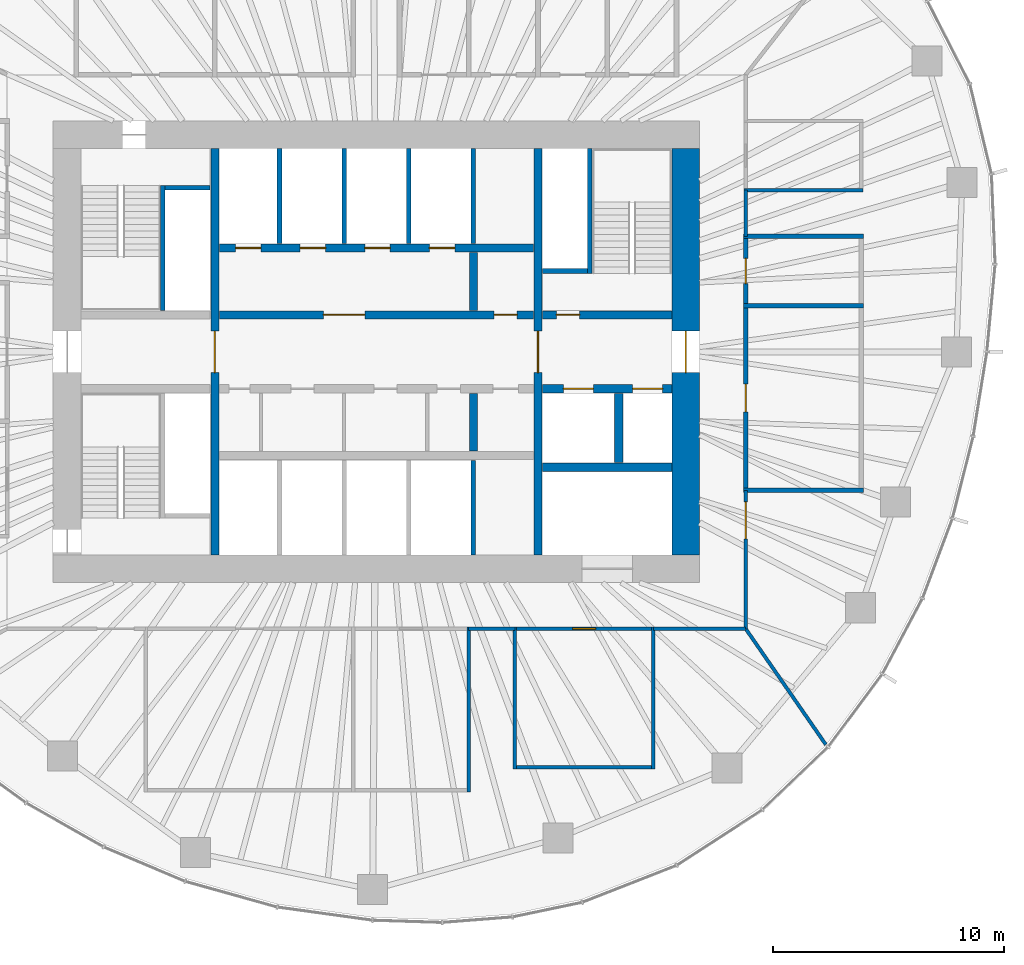
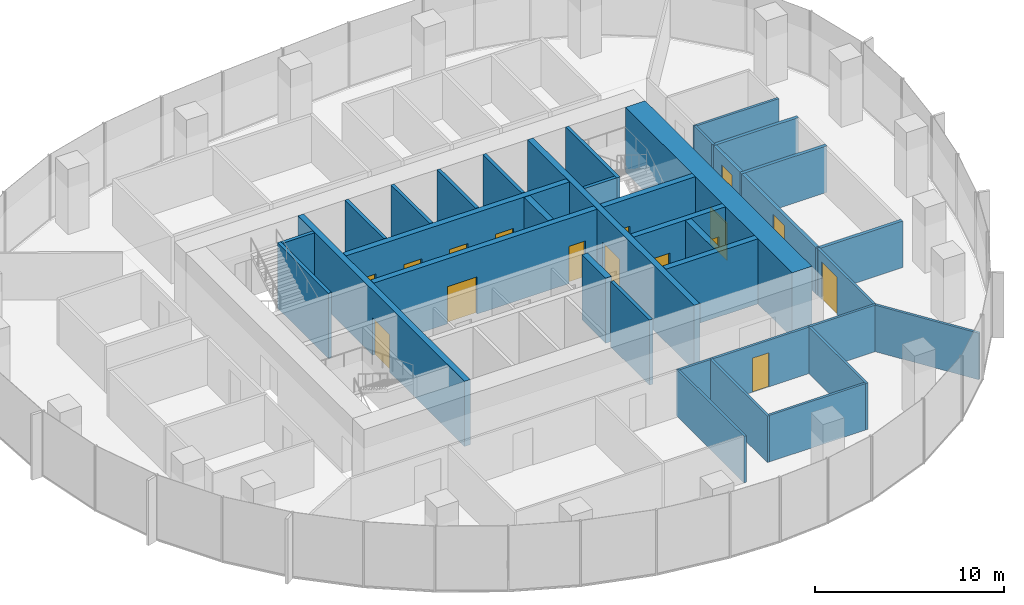
# One storey, part 9 of 11: 36 walls, 16 doors, 16 openings.
"""IFC4 building model written with IfcOpenShell, lengths in metres."""

from ifc_helpers import new_model, si_unit, direction, frame, frame_2d, origin, place, context, subcontext, project, spatial, rectangle, extrude, material, layer, layer_set, type_object, element, fill, save


model = new_model("IFC4")

# Units and contexts
model_context = context("Model", 3, precision=1e-05, world=origin(), true_north=direction((0.0, 1.0)))
body_context = subcontext(model_context, "Body", "Model", "MODEL_VIEW")
ifc_project = project(units=[si_unit("LENGTHUNIT", "METRE"), si_unit("AREAUNIT", "SQUARE_METRE"), si_unit("VOLUMEUNIT", "CUBIC_METRE"), si_unit("PLANEANGLEUNIT", "RADIAN"), si_unit("MASSUNIT", "GRAM", prefix="KILO")], contexts=[model_context])

# Site, building, storey
site_placement = place(None, origin())
site = spatial("IfcSite", under=ifc_project, at=site_placement, CompositionType="ELEMENT")
building_placement = place(site_placement, origin())
building = spatial("IfcBuilding", under=site, at=building_placement, Name="Ghaith Harvest Tower", CompositionType="ELEMENT")
storey_placement = place(building_placement, frame((0.0, 0.0, 211.60009765625)))
storey = spatial("IfcBuildingStorey", under=building, at=storey_placement, Name="L46", CompositionType="ELEMENT", Elevation=211.60009765625)

# Walls
ifc_material_1 = material(Name="Twin-stud gypsum board, acoustic", Category="gypsum")
ifc_layer_1 = layer(ifc_material_1, 0.199951171875)
ifc_layer_set_1 = layer_set([ifc_layer_1], Name="ACOUSTIC PARTITION 200")
wall_type_1 = type_object("IfcWallType", Name="ACOUSTIC PARTITION 200", PredefinedType="PARTITIONING", material=ifc_layer_set_1)
for number, where, z_axis, x_axis, name in (
    (1, (15.89990234375, -6.0, 0.0), (0.0, 0.0, 1.0), (1.0, 0.0, 0.0), "Partition L46 row E5 cross wall 1"),
    (2, (15.89990234375, 2.0, 0.0), (0.0, 0.0, 1.0), (1.0, 0.0, 0.0), "Partition L46 row E5 cross wall 2"),
    (3, (15.89990234375, 5.0, 0.0), (0.0, 0.0, 1.0), (1.0, 0.0, 0.0), "Partition L46 row E5 cross wall 3"),
):
    element("IfcWall", number, at=place(storey_placement, frame(where, z_axis=z_axis, x_axis=x_axis)), inside=storey, type_object=wall_type_1, Name=name, PredefinedType="PARTITIONING", context=body_context, shape_type="SweptSolid", body=[
        extrude(rectangle(XDim=5.2001953125, YDim=0.199951171875, at=frame_2d((2.60009765625, 0.0))), origin(), (0.0, 0.0, 1.0), 3.0),
    ])

# Wall, opening, door
wall_1_placement = place(storey_placement, frame((16.0, -5.89990234375, 0.0), z_axis=(0.0, 0.0, 1.0), x_axis=(0.0, 1.0, 0.0)))
wall_1 = element("IfcWall", 4, at=wall_1_placement, inside=storey, type_object=wall_type_1, Name="Partition L46-10", PredefinedType="PARTITIONING", context=body_context, shape_type="SweptSolid", body=[
    extrude(rectangle(XDim=7.7998046875, YDim=0.199951171875, at=frame_2d((3.89990234375, 0.0))), origin(), (0.0, 0.0, 1.0), 3.0),
])
opening_1_placement = place(wall_1_placement, frame((3.300048828125, 0.0, 0.0)))
opening_1 = element("IfcOpeningElement", 5, at=opening_1_placement, cuts=wall_1, Name="Opening 46-031", PredefinedType="OPENING", context=body_context, shape_type="SweptSolid", body=[
    extrude(rectangle(XDim=1.199951171875, YDim=2.39990234375, at=frame_2d((0.60009765625, 1.199951171875))), frame((0.0, 0.10986328125, 0.0), z_axis=(0.0, -1.0, 0.0), x_axis=(1.0, 0.0, 0.0)), (0.0, 0.0, 1.0), 0.219970703125),
])
ifc_material_2 = material(Name="Timber door", Category="wood")
door_type_1 = type_object("IfcDoorType", Name="D11 GLAZED 1200x2400", OperationType="SINGLE_SWING_LEFT", PredefinedType="DOOR", material=ifc_material_2)
door_1_placement = place(opening_1_placement, origin())
door_1 = element("IfcDoor", 6, at=door_1_placement, inside=storey, type_object=door_type_1, Name="Meeting room door", OperationType="SINGLE_SWING_LEFT", OverallHeight=2.39990234375, OverallWidth=1.199951171875, PredefinedType="DOOR", context=body_context, shape_type="SweptSolid", body=[
    extrude(rectangle(XDim=1.199951171875, YDim=2.39990234375, at=frame_2d((0.60009765625, 1.199951171875))), frame((0.0, 0.02490234375, 0.0), z_axis=(0.0, -1.0, 0.0), x_axis=(1.0, 0.0, 0.0)), (0.0, 0.0, 1.0), 0.050048828125),
])
fill(opening_1, door_1)

wall_2_placement = place(storey_placement, frame((16.0, 2.10009765625, 0.0), z_axis=(0.0, 0.0, 1.0), x_axis=(0.0, 1.0, 0.0)))
wall_2 = element("IfcWall", 7, at=wall_2_placement, inside=storey, type_object=wall_type_1, Name="Partition L46-11", PredefinedType="PARTITIONING", context=body_context, shape_type="SweptSolid", body=[
    extrude(rectangle(XDim=2.7998046875, YDim=0.199951171875, at=frame_2d((1.39990234375, 0.0))), origin(), (0.0, 0.0, 1.0), 3.0),
])
opening_2_placement = place(wall_2_placement, frame((0.85009765625, 0.0, 0.0)))
opening_2 = element("IfcOpeningElement", 8, at=opening_2_placement, cuts=wall_2, Name="Opening 46-032", PredefinedType="OPENING", context=body_context, shape_type="SweptSolid", body=[
    extrude(rectangle(XDim=1.10009765625, YDim=2.300048828125, at=frame_2d((0.550048828125, 1.14990234375))), frame((0.0, 0.10986328125, 0.0), z_axis=(0.0, -1.0, 0.0), x_axis=(1.0, 0.0, 0.0)), (0.0, 0.0, 1.0), 0.219970703125),
])
ifc_material_3 = material(Name="Timber-framed glazed door", Category="wood")
door_type_2 = type_object("IfcDoorType", Name="D12 GLAZED OFFICE 1100x2300", OperationType="SINGLE_SWING_LEFT", PredefinedType="DOOR", material=ifc_material_3)
door_2_placement = place(opening_2_placement, origin())
door_2 = element("IfcDoor", 9, at=door_2_placement, inside=storey, type_object=door_type_2, Name="Focus room door", OperationType="SINGLE_SWING_LEFT", OverallHeight=2.300048828125, OverallWidth=1.10009765625, PredefinedType="DOOR", context=body_context, shape_type="SweptSolid", body=[
    extrude(rectangle(XDim=1.10009765625, YDim=2.300048828125, at=frame_2d((0.550048828125, 1.14990234375))), frame((0.0, 0.02490234375, 0.0), z_axis=(0.0, -1.0, 0.0), x_axis=(1.0, 0.0, 0.0)), (0.0, 0.0, 1.0), 0.050048828125),
])
fill(opening_2, door_2)

ifc_material_4 = material(Name="Concrete C60/75", Category="concrete")
ifc_layer_2 = layer(ifc_material_4, 1.199951171875)
ifc_layer_set_2 = layer_set([ifc_layer_2], Name="CORE WALL CW1200 C60")
wall_type_2 = type_object("IfcWallType", Name="CORE WALL CW1200 C60", PredefinedType="SHEAR", material=ifc_layer_set_2)
wall_3_placement = place(storey_placement, frame((13.39990234375, -8.800048828125, 0.0), z_axis=(0.0, 0.0, 1.0), x_axis=(0.0, 1.0, 0.0)))
wall_3 = element("IfcWall", 10, at=wall_3_placement, inside=storey, type_object=wall_type_2, Name="Core wall E L46", PredefinedType="SHEAR", context=body_context, shape_type="SweptSolid", body=[
    extrude(rectangle(XDim=17.60009765625, YDim=1.199951171875, at=frame_2d((8.800048828125, 0.0))), origin(), (0.0, 0.0, 1.0), 4.199951171875),
])
opening_3_placement = place(wall_3_placement, frame((7.89990234375, 0.0, 0.0)))
opening_3 = element("IfcOpeningElement", 11, at=opening_3_placement, cuts=wall_3, Name="Opening 46-002", PredefinedType="OPENING", context=body_context, shape_type="SweptSolid", body=[
    extrude(rectangle(XDim=1.800048828125, YDim=2.39990234375, at=frame_2d((0.89990234375, 1.199951171875))), frame((0.0, 0.60986328125, 0.0), z_axis=(0.0, -1.0, 0.0), x_axis=(1.0, 0.0, 0.0)), (0.0, 0.0, 1.0), 1.219970703125),
])
ifc_material_5 = material(Name="Steel fire door", Category="steel")
door_type_3 = type_object("IfcDoorType", Name="D4 FD90 PAIR 1800x2400", OperationType="DOUBLE_DOOR_SINGLE_SWING", PredefinedType="DOOR", material=ifc_material_5)
door_3_placement = place(opening_3_placement, origin())
door_3 = element("IfcDoor", 12, at=door_3_placement, inside=storey, type_object=door_type_3, Name="Fire-fighting lobby doors", OperationType="DOUBLE_DOOR_SINGLE_SWING", OverallHeight=2.39990234375, OverallWidth=1.800048828125, PredefinedType="DOOR", context=body_context, shape_type="SweptSolid", body=[
    extrude(rectangle(XDim=1.800048828125, YDim=2.39990234375, at=frame_2d((0.89990234375, 1.199951171875))), frame((0.0, 0.02490234375, 0.0), z_axis=(0.0, -1.0, 0.0), x_axis=(1.0, 0.0, 0.0)), (0.0, 0.0, 1.0), 0.050048828125),
])
fill(opening_3, door_3)

# Walls
ifc_material_6 = material(Name="Concrete blockwork, 2-hour", Category="masonry")
ifc_layer_3 = layer(ifc_material_6, 0.199951171875)
ifc_layer_set_3 = layer_set([ifc_layer_3], Name="LIFT SHAFT WALL 200")
wall_type_3 = type_object("IfcWallType", Name="LIFT SHAFT WALL 200", PredefinedType="PARTITIONING", material=ifc_layer_set_3)
for number, where, z_axis, x_axis, name in (
    (13, (-4.199951171875, 4.699951171875, 0.0), (0.0, 0.0, 1.0), (0.0, 1.0, 0.0), "Lift shaft wall L46"),
    (14, (-1.39990234375, 4.699951171875, 0.0), (0.0, 0.0, 1.0), (0.0, 1.0, 0.0), "Lift shaft wall L46"),
    (15, (1.39990234375, 4.699951171875, 0.0), (0.0, 0.0, 1.0), (0.0, 1.0, 0.0), "Lift shaft wall L46"),
    (16, (4.199951171875, 4.699951171875, 0.0), (0.0, 0.0, 1.0), (0.0, 1.0, 0.0), "Lift shaft wall L46"),
    (17, (4.199951171875, -4.699951171875, 0.0), (0.0, 0.0, 1.0), (0.0, -1.0, 0.0), "Lift shaft wall L46"),
):
    element("IfcWall", number, at=place(storey_placement, frame(where, z_axis=z_axis, x_axis=x_axis)), inside=storey, type_object=wall_type_3, Name=name, PredefinedType="PARTITIONING", context=body_context, shape_type="SweptSolid", body=[
        extrude(rectangle(XDim=4.10009765625, YDim=0.199951171875, at=frame_2d((2.050048828125, 0.0))), origin(), (0.0, 0.0, 1.0), 4.199951171875),
    ])
ifc_material_7 = material(Name="Gypsum board on steel studs", Category="steel")
ifc_layer_4 = layer(ifc_material_7, 0.14990234375)
ifc_layer_set_4 = layer_set([ifc_layer_4], Name="PARTITION 150")
wall_type_4 = type_object("IfcWallType", Name="PARTITION 150", PredefinedType="PARTITIONING", material=ifc_layer_set_4)
wall_4_placement = place(storey_placement, frame((4.0, -11.925048828125, 0.0), z_axis=(0.0, 0.0, 1.0), x_axis=(0.0, -1.0, 0.0)))
element("IfcWall", 18, at=wall_4_placement, inside=storey, type_object=wall_type_4, Name="Partition L46 row S3 cross wall 3", PredefinedType="PARTITIONING", context=body_context, shape_type="SweptSolid", body=[
    extrude(rectangle(XDim=7.14990234375, YDim=0.14990234375, at=frame_2d((3.574951171875, 0.0))), origin(), (0.0, 0.0, 1.0), 3.0),
])
for number, where, z_axis, x_axis, name in (
    (19, (6.0, -11.925048828125, 0.0), (0.0, 0.0, 1.0), (0.0, -1.0, 0.0), "Partition L46 row S4 cross wall 1"),
    (20, (12.0, -11.925048828125, 0.0), (0.0, 0.0, 1.0), (0.0, -1.0, 0.0), "Partition L46 row S4 cross wall 2"),
):
    element("IfcWall", number, at=place(storey_placement, frame(where, z_axis=z_axis, x_axis=x_axis)), inside=storey, type_object=wall_type_4, Name=name, PredefinedType="PARTITIONING", context=body_context, shape_type="SweptSolid", body=[
        extrude(rectangle(XDim=6.14990234375, YDim=0.14990234375, at=frame_2d((3.074951171875, 0.0))), origin(), (0.0, 0.0, 1.0), 3.0),
    ])

# Wall, opening, door
wall_5_placement = place(storey_placement, frame((6.074951171875, -12.0, 0.0), z_axis=(0.0, 0.0, 1.0), x_axis=(1.0, 0.0, 0.0)))
wall_5 = element("IfcWall", 21, at=wall_5_placement, inside=storey, type_object=wall_type_4, Name="Partition L46-09", PredefinedType="PARTITIONING", context=body_context, shape_type="SweptSolid", body=[
    extrude(rectangle(XDim=5.85009765625, YDim=0.14990234375, at=frame_2d((2.925048828125, 0.0))), origin(), (0.0, 0.0, 1.0), 3.0),
])
opening_4_placement = place(wall_5_placement, frame((2.425048828125, 0.0, 0.0)))
opening_4 = element("IfcOpeningElement", 22, at=opening_4_placement, cuts=wall_5, Name="Opening 46-030", PredefinedType="OPENING", context=body_context, shape_type="SweptSolid", body=[
    extrude(rectangle(XDim=1.0, YDim=2.199951171875, at=frame_2d((0.5, 1.10009765625))), frame((0.0, 0.0849609375, 0.0), z_axis=(0.0, -1.0, 0.0), x_axis=(1.0, 0.0, 0.0)), (0.0, 0.0, 1.0), 0.169921875),
])
ifc_material_8 = material(Name="Timber door", Category="wood")
door_type_4 = type_object("IfcDoorType", Name="D1 SINGLE 1000x2200", OperationType="SINGLE_SWING_LEFT", PredefinedType="DOOR", material=ifc_material_8)
door_4_placement = place(opening_4_placement, origin())
door_4 = element("IfcDoor", 23, at=door_4_placement, inside=storey, type_object=door_type_4, Name="Pantry door", OperationType="SINGLE_SWING_LEFT", OverallHeight=2.199951171875, OverallWidth=1.0, PredefinedType="DOOR", context=body_context, shape_type="SweptSolid", body=[
    extrude(rectangle(XDim=1.0, YDim=2.199951171875, at=frame_2d((0.5, 1.10009765625))), frame((0.0, 0.02490234375, 0.0), z_axis=(0.0, -1.0, 0.0), x_axis=(1.0, 0.0, 0.0)), (0.0, 0.0, 1.0), 0.050048828125),
])
fill(opening_4, door_4)

# Walls
wall_6_placement = place(storey_placement, frame((6.074951171875, -18.0, 0.0), z_axis=(0.0, 0.0, 1.0), x_axis=(1.0, 0.0, 0.0)))
element("IfcWall", 24, at=wall_6_placement, inside=storey, type_object=wall_type_4, Name="Partition L46-09", PredefinedType="PARTITIONING", context=body_context, shape_type="SweptSolid", body=[
    extrude(rectangle(XDim=5.85009765625, YDim=0.14990234375, at=frame_2d((2.925048828125, 0.0))), origin(), (0.0, 0.0, 1.0), 3.0),
])
wall_7_placement = place(storey_placement, frame((15.925048828125, 7.0, 0.0), z_axis=(0.0, 0.0, 1.0), x_axis=(1.0, 0.0, 0.0)))
element("IfcWall", 25, at=wall_7_placement, inside=storey, type_object=wall_type_4, Name="Partition L46 row E7 cross wall 1", PredefinedType="PARTITIONING", context=body_context, shape_type="SweptSolid", body=[
    extrude(rectangle(XDim=5.14990234375, YDim=0.14990234375, at=frame_2d((2.574951171875, 0.0))), origin(), (0.0, 0.0, 1.0), 3.0),
])
wall_8_placement = place(storey_placement, frame((16.011474609375, -12.016357421875, 0.0), z_axis=(0.0, 0.0, 1.0), x_axis=(0.568863489071, -0.822431961199, 0.0)))
element("IfcWall", 26, at=wall_8_placement, inside=storey, type_object=wall_type_4, Name="Partition L46 zone division", PredefinedType="PARTITIONING", context=body_context, shape_type="SweptSolid", body=[
    extrude(rectangle(XDim=6.0830078125, YDim=0.14990234375, at=frame_2d((3.04150390625, 0.0))), origin(), (0.0, 0.0, 1.0), 3.0),
])

# Wall, opening, door
wall_9_placement = place(storey_placement, frame((16.0, -12.0, 0.0), z_axis=(0.0, 0.0, 1.0), x_axis=(0.0, 1.0, 0.0)))
wall_9 = element("IfcWall", 27, at=wall_9_placement, inside=storey, type_object=wall_type_4, Name="Partition L46 zone enclosure", PredefinedType="PARTITIONING", context=body_context, shape_type="SweptSolid", body=[
    extrude(rectangle(XDim=6.0, YDim=0.14990234375, at=frame_2d((3.0, 0.0))), origin(), (0.0, 0.0, 1.0), 3.0),
])
opening_5_placement = place(wall_9_placement, frame((3.89990234375, 0.0, 0.0)))
opening_5 = element("IfcOpeningElement", 28, at=opening_5_placement, cuts=wall_9, Name="Opening 46-037", PredefinedType="OPENING", context=body_context, shape_type="SweptSolid", body=[
    extrude(rectangle(XDim=1.60009765625, YDim=2.39990234375, at=frame_2d((0.800048828125, 1.199951171875))), frame((0.0, 0.0849609375, 0.0), z_axis=(0.0, -1.0, 0.0), x_axis=(1.0, 0.0, 0.0)), (0.0, 0.0, 1.0), 0.169921875),
])
ifc_material_9 = material(Name="Timber door", Category="wood")
door_type_5 = type_object("IfcDoorType", Name="D2 PAIR 1600x2400", OperationType="DOUBLE_DOOR_SINGLE_SWING", PredefinedType="DOOR", material=ifc_material_9)
door_5_placement = place(opening_5_placement, origin())
door_5 = element("IfcDoor", 29, at=door_5_placement, inside=storey, type_object=door_type_5, Name="Engineering studio east door", OperationType="DOUBLE_DOOR_SINGLE_SWING", OverallHeight=2.39990234375, OverallWidth=1.60009765625, PredefinedType="DOOR", context=body_context, shape_type="SweptSolid", body=[
    extrude(rectangle(XDim=1.60009765625, YDim=2.39990234375, at=frame_2d((0.800048828125, 1.199951171875))), frame((0.0, 0.02490234375, 0.0), z_axis=(0.0, -1.0, 0.0), x_axis=(1.0, 0.0, 0.0)), (0.0, 0.0, 1.0), 0.050048828125),
])
fill(opening_5, door_5)

# Walls
for number, where, z_axis, x_axis, name in (
    (30, (16.0, 5.0, 0.0), (0.0, 0.0, 1.0), (0.0, 1.0, 0.0), "Partition L46 zone enclosure"),
    (31, (4.0, -12.0, 0.0), (0.0, 0.0, 1.0), (1.0, 0.0, 0.0), "Partition L46 zone enclosure"),
):
    element("IfcWall", number, at=place(storey_placement, frame(where, z_axis=z_axis, x_axis=x_axis)), inside=storey, type_object=wall_type_4, Name=name, PredefinedType="PARTITIONING", context=body_context, shape_type="SweptSolid", body=[
        extrude(rectangle(XDim=2.0, YDim=0.14990234375, at=frame_2d((1.0, 0.0))), origin(), (0.0, 0.0, 1.0), 3.0),
    ])
wall_10_placement = place(storey_placement, frame((12.0, -12.0, 0.0), z_axis=(0.0, 0.0, 1.0), x_axis=(1.0, 0.0, 0.0)))
element("IfcWall", 32, at=wall_10_placement, inside=storey, type_object=wall_type_4, Name="Partition L46 zone enclosure", PredefinedType="PARTITIONING", context=body_context, shape_type="SweptSolid", body=[
    extrude(rectangle(XDim=4.0, YDim=0.14990234375, at=frame_2d((2.0, 0.0))), origin(), (0.0, 0.0, 1.0), 3.0),
])

# Wall, opening, door
ifc_material_10 = material(Name="Concrete C60/75", Category="concrete")
ifc_layer_5 = layer(ifc_material_10, 0.35009765625)
ifc_layer_set_5 = layer_set([ifc_layer_5], Name="SHAFT WALL 350")
wall_type_5 = type_object("IfcWallType", Name="SHAFT WALL 350", PredefinedType="SHEAR", material=ifc_layer_set_5)
wall_11_placement = place(storey_placement, frame((-7.0, -8.800048828125, 0.0), z_axis=(0.0, 0.0, 1.0), x_axis=(0.0, 1.0, 0.0)))
wall_11 = element("IfcWall", 33, at=wall_11_placement, inside=storey, type_object=wall_type_5, Name="Shaft wall W7W L46", PredefinedType="SHEAR", context=body_context, shape_type="SweptSolid", body=[
    extrude(rectangle(XDim=17.60009765625, YDim=0.35009765625, at=frame_2d((8.800048828125, 0.0))), origin(), (0.0, 0.0, 1.0), 4.199951171875),
])
opening_6_placement = place(wall_11_placement, frame((7.89990234375, 0.0, 0.0)))
opening_6 = element("IfcOpeningElement", 34, at=opening_6_placement, cuts=wall_11, Name="Opening 46-003", PredefinedType="OPENING", context=body_context, shape_type="SweptSolid", body=[
    extrude(rectangle(XDim=1.800048828125, YDim=2.39990234375, at=frame_2d((0.89990234375, 1.199951171875))), frame((0.0, 0.18505859375, 0.0), z_axis=(0.0, -1.0, 0.0), x_axis=(1.0, 0.0, 0.0)), (0.0, 0.0, 1.0), 0.3701171875),
])
door_6_placement = place(opening_6_placement, origin())
door_6 = element("IfcDoor", 35, at=door_6_placement, inside=storey, type_object=door_type_3, Name="Lift lobby doors, west", OperationType="DOUBLE_DOOR_SINGLE_SWING", OverallHeight=2.39990234375, OverallWidth=1.800048828125, PredefinedType="DOOR", context=body_context, shape_type="SweptSolid", body=[
    extrude(rectangle(XDim=1.800048828125, YDim=2.39990234375, at=frame_2d((0.89990234375, 1.199951171875))), frame((0.0, 0.02490234375, 0.0), z_axis=(0.0, -1.0, 0.0), x_axis=(1.0, 0.0, 0.0)), (0.0, 0.0, 1.0), 0.050048828125),
])
fill(opening_6, door_6)

wall_12_placement = place(storey_placement, frame((7.0, -8.800048828125, 0.0), z_axis=(0.0, 0.0, 1.0), x_axis=(0.0, 1.0, 0.0)))
wall_12 = element("IfcWall", 36, at=wall_12_placement, inside=storey, type_object=wall_type_5, Name="Shaft wall W7E L46", PredefinedType="SHEAR", context=body_context, shape_type="SweptSolid", body=[
    extrude(rectangle(XDim=17.60009765625, YDim=0.35009765625, at=frame_2d((8.800048828125, 0.0))), origin(), (0.0, 0.0, 1.0), 4.199951171875),
])
opening_7_placement = place(wall_12_placement, frame((7.89990234375, 0.0, 0.0)))
opening_7 = element("IfcOpeningElement", 37, at=opening_7_placement, cuts=wall_12, Name="Opening 46-004", PredefinedType="OPENING", context=body_context, shape_type="SweptSolid", body=[
    extrude(rectangle(XDim=1.800048828125, YDim=2.39990234375, at=frame_2d((0.89990234375, 1.199951171875))), frame((0.0, 0.18505859375, 0.0), z_axis=(0.0, -1.0, 0.0), x_axis=(1.0, 0.0, 0.0)), (0.0, 0.0, 1.0), 0.3701171875),
])
door_7_placement = place(opening_7_placement, origin())
door_7 = element("IfcDoor", 38, at=door_7_placement, inside=storey, type_object=door_type_3, Name="Lift lobby doors, east", OperationType="DOUBLE_DOOR_SINGLE_SWING", OverallHeight=2.39990234375, OverallWidth=1.800048828125, PredefinedType="DOOR", context=body_context, shape_type="SweptSolid", body=[
    extrude(rectangle(XDim=1.800048828125, YDim=2.39990234375, at=frame_2d((0.89990234375, 1.199951171875))), frame((0.0, 0.02490234375, 0.0), z_axis=(0.0, -1.0, 0.0), x_axis=(1.0, 0.0, 0.0)), (0.0, 0.0, 1.0), 0.050048828125),
])
fill(opening_7, door_7)

# Wall, openings, doors
wall_13_placement = place(storey_placement, frame((-6.800048828125, 1.60009765625, 0.0), z_axis=(0.0, 0.0, 1.0), x_axis=(1.0, 0.0, 0.0)))
wall_13 = element("IfcWall", 39, at=wall_13_placement, inside=storey, type_object=wall_type_5, Name="Shaft wall LN L46", PredefinedType="SHEAR", context=body_context, shape_type="SweptSolid", body=[
    extrude(rectangle(XDim=13.60009765625, YDim=0.35009765625, at=frame_2d((6.800048828125, 0.0))), origin(), (0.0, 0.0, 1.0), 4.199951171875),
])
opening_8_placement = place(wall_13_placement, frame((11.89990234375, 0.0, 0.0)))
opening_8 = element("IfcOpeningElement", 40, at=opening_8_placement, cuts=wall_13, Name="Opening 46-012", PredefinedType="OPENING", context=body_context, shape_type="SweptSolid", body=[
    extrude(rectangle(XDim=1.0, YDim=2.39990234375, at=frame_2d((0.5, 1.199951171875))), frame((0.0, 0.18505859375, 0.0), z_axis=(0.0, -1.0, 0.0), x_axis=(1.0, 0.0, 0.0)), (0.0, 0.0, 1.0), 0.3701171875),
])
opening_9_placement = place(wall_13_placement, frame((4.5, 0.0, 0.0)))
opening_9 = element("IfcOpeningElement", 41, at=opening_9_placement, cuts=wall_13, Name="Opening 46-014", PredefinedType="OPENING", context=body_context, shape_type="SweptSolid", body=[
    extrude(rectangle(XDim=1.800048828125, YDim=2.39990234375, at=frame_2d((0.89990234375, 1.199951171875))), frame((0.0, 0.18505859375, 0.0), z_axis=(0.0, -1.0, 0.0), x_axis=(1.0, 0.0, 0.0)), (0.0, 0.0, 1.0), 0.3701171875),
])
ifc_material_11 = material(Name="Steel fire door", Category="steel")
door_type_6 = type_object("IfcDoorType", Name="D3 FD90 1000x2400", OperationType="SINGLE_SWING_LEFT", PredefinedType="DOOR", material=ifc_material_11)
door_8_placement = place(opening_8_placement, origin())
door_8 = element("IfcDoor", 42, at=door_8_placement, inside=storey, type_object=door_type_6, Name="Electrical room door", OperationType="SINGLE_SWING_RIGHT", OverallHeight=2.39990234375, OverallWidth=1.0, PredefinedType="DOOR", context=body_context, shape_type="SweptSolid", body=[
    extrude(rectangle(XDim=1.0, YDim=2.39990234375, at=frame_2d((0.5, 1.199951171875))), frame((0.0, 0.02490234375, 0.0), z_axis=(0.0, -1.0, 0.0), x_axis=(1.0, 0.0, 0.0)), (0.0, 0.0, 1.0), 0.050048828125),
])
fill(opening_8, door_8)
door_9_placement = place(opening_9_placement, origin())
door_9 = element("IfcDoor", 43, at=door_9_placement, inside=storey, type_object=door_type_3, Name="Lift lobby doors, high-rise bank", OperationType="DOUBLE_DOOR_SINGLE_SWING", OverallHeight=2.39990234375, OverallWidth=1.800048828125, PredefinedType="DOOR", context=body_context, shape_type="SweptSolid", body=[
    extrude(rectangle(XDim=1.800048828125, YDim=2.39990234375, at=frame_2d((0.89990234375, 1.199951171875))), frame((0.0, 0.02490234375, 0.0), z_axis=(0.0, -1.0, 0.0), x_axis=(1.0, 0.0, 0.0)), (0.0, 0.0, 1.0), 0.050048828125),
])
fill(opening_9, door_9)

wall_14_placement = place(storey_placement, frame((-6.800048828125, 4.5, 0.0), z_axis=(0.0, 0.0, 1.0), x_axis=(1.0, 0.0, 0.0)))
wall_14 = element("IfcWall", 44, at=wall_14_placement, inside=storey, type_object=wall_type_5, Name="Shaft wall BN L46", PredefinedType="SHEAR", context=body_context, shape_type="SweptSolid", body=[
    extrude(rectangle(XDim=13.60009765625, YDim=0.35009765625, at=frame_2d((6.800048828125, 0.0))), origin(), (0.0, 0.0, 1.0), 4.199951171875),
])
opening_10_placement = place(wall_14_placement, frame((0.699951171875, 0.0, 0.0)))
opening_10 = element("IfcOpeningElement", 45, at=opening_10_placement, cuts=wall_14, Name="Opening 46-015", PredefinedType="OPENING", context=body_context, shape_type="SweptSolid", body=[
    extrude(rectangle(XDim=1.10009765625, YDim=2.39990234375, at=frame_2d((0.550048828125, 1.199951171875))), frame((0.0, 0.18505859375, 0.0), z_axis=(0.0, -1.0, 0.0), x_axis=(1.0, 0.0, 0.0)), (0.0, 0.0, 1.0), 0.3701171875),
])
opening_11_placement = place(wall_14_placement, frame((3.5, 0.0, 0.0)))
opening_11 = element("IfcOpeningElement", 46, at=opening_11_placement, cuts=wall_14, Name="Opening 46-016", PredefinedType="OPENING", context=body_context, shape_type="SweptSolid", body=[
    extrude(rectangle(XDim=1.10009765625, YDim=2.39990234375, at=frame_2d((0.550048828125, 1.199951171875))), frame((0.0, 0.18505859375, 0.0), z_axis=(0.0, -1.0, 0.0), x_axis=(1.0, 0.0, 0.0)), (0.0, 0.0, 1.0), 0.3701171875),
])
opening_12_placement = place(wall_14_placement, frame((6.300048828125, 0.0, 0.0)))
opening_12 = element("IfcOpeningElement", 47, at=opening_12_placement, cuts=wall_14, Name="Opening 46-017", PredefinedType="OPENING", context=body_context, shape_type="SweptSolid", body=[
    extrude(rectangle(XDim=1.10009765625, YDim=2.39990234375, at=frame_2d((0.550048828125, 1.199951171875))), frame((0.0, 0.18505859375, 0.0), z_axis=(0.0, -1.0, 0.0), x_axis=(1.0, 0.0, 0.0)), (0.0, 0.0, 1.0), 0.3701171875),
])
opening_13_placement = place(wall_14_placement, frame((9.10009765625, 0.0, 0.0)))
opening_13 = element("IfcOpeningElement", 48, at=opening_13_placement, cuts=wall_14, Name="Opening 46-018", PredefinedType="OPENING", context=body_context, shape_type="SweptSolid", body=[
    extrude(rectangle(XDim=1.10009765625, YDim=2.39990234375, at=frame_2d((0.550048828125, 1.199951171875))), frame((0.0, 0.18505859375, 0.0), z_axis=(0.0, -1.0, 0.0), x_axis=(1.0, 0.0, 0.0)), (0.0, 0.0, 1.0), 0.3701171875),
])
ifc_material_12 = material(Name="Steel fire door", Category="steel")
door_type_7 = type_object("IfcDoorType", Name="LD1 LANDING 1100x2400", OperationType="DOUBLE_DOOR_SLIDING", PredefinedType="DOOR", material=ifc_material_12)
door_10_placement = place(opening_10_placement, origin())
door_10 = element("IfcDoor", 49, at=door_10_placement, inside=storey, type_object=door_type_7, Name="Landing door, lift HR1", OperationType="DOUBLE_DOOR_SLIDING", OverallHeight=2.39990234375, OverallWidth=1.10009765625, PredefinedType="DOOR", context=body_context, shape_type="SweptSolid", body=[
    extrude(rectangle(XDim=1.10009765625, YDim=2.39990234375, at=frame_2d((0.550048828125, 1.199951171875))), frame((0.0, 0.02490234375, 0.0), z_axis=(0.0, -1.0, 0.0), x_axis=(1.0, 0.0, 0.0)), (0.0, 0.0, 1.0), 0.050048828125),
])
fill(opening_10, door_10)
door_11_placement = place(opening_11_placement, origin())
door_11 = element("IfcDoor", 50, at=door_11_placement, inside=storey, type_object=door_type_7, Name="Landing door, lift HR2", OperationType="DOUBLE_DOOR_SLIDING", OverallHeight=2.39990234375, OverallWidth=1.10009765625, PredefinedType="DOOR", context=body_context, shape_type="SweptSolid", body=[
    extrude(rectangle(XDim=1.10009765625, YDim=2.39990234375, at=frame_2d((0.550048828125, 1.199951171875))), frame((0.0, 0.02490234375, 0.0), z_axis=(0.0, -1.0, 0.0), x_axis=(1.0, 0.0, 0.0)), (0.0, 0.0, 1.0), 0.050048828125),
])
fill(opening_11, door_11)
door_12_placement = place(opening_12_placement, origin())
door_12 = element("IfcDoor", 51, at=door_12_placement, inside=storey, type_object=door_type_7, Name="Landing door, lift HR3", OperationType="DOUBLE_DOOR_SLIDING", OverallHeight=2.39990234375, OverallWidth=1.10009765625, PredefinedType="DOOR", context=body_context, shape_type="SweptSolid", body=[
    extrude(rectangle(XDim=1.10009765625, YDim=2.39990234375, at=frame_2d((0.550048828125, 1.199951171875))), frame((0.0, 0.02490234375, 0.0), z_axis=(0.0, -1.0, 0.0), x_axis=(1.0, 0.0, 0.0)), (0.0, 0.0, 1.0), 0.050048828125),
])
fill(opening_12, door_12)
door_13_placement = place(opening_13_placement, origin())
door_13 = element("IfcDoor", 52, at=door_13_placement, inside=storey, type_object=door_type_7, Name="Landing door, lift HR4", OperationType="DOUBLE_DOOR_SLIDING", OverallHeight=2.39990234375, OverallWidth=1.10009765625, PredefinedType="DOOR", context=body_context, shape_type="SweptSolid", body=[
    extrude(rectangle(XDim=1.10009765625, YDim=2.39990234375, at=frame_2d((0.550048828125, 1.199951171875))), frame((0.0, 0.02490234375, 0.0), z_axis=(0.0, -1.0, 0.0), x_axis=(1.0, 0.0, 0.0)), (0.0, 0.0, 1.0), 0.050048828125),
])
fill(opening_13, door_13)

# Wall, opening, door
wall_15_placement = place(storey_placement, frame((7.199951171875, 1.60009765625, 0.0), z_axis=(0.0, 0.0, 1.0), x_axis=(1.0, 0.0, 0.0)))
wall_15 = element("IfcWall", 53, at=wall_15_placement, inside=storey, type_object=wall_type_5, Name="Shaft wall EN L46", PredefinedType="SHEAR", context=body_context, shape_type="SweptSolid", body=[
    extrude(rectangle(XDim=5.60009765625, YDim=0.35009765625, at=frame_2d((2.800048828125, 0.0))), origin(), (0.0, 0.0, 1.0), 4.199951171875),
])
opening_14_placement = place(wall_15_placement, frame((0.60009765625, 0.0, 0.0)))
opening_14 = element("IfcOpeningElement", 54, at=opening_14_placement, cuts=wall_15, Name="Opening 46-007", PredefinedType="OPENING", context=body_context, shape_type="SweptSolid", body=[
    extrude(rectangle(XDim=1.0, YDim=2.39990234375, at=frame_2d((0.5, 1.199951171875))), frame((0.0, 0.18505859375, 0.0), z_axis=(0.0, -1.0, 0.0), x_axis=(1.0, 0.0, 0.0)), (0.0, 0.0, 1.0), 0.3701171875),
])
door_14_placement = place(opening_14_placement, origin())
door_14 = element("IfcDoor", 55, at=door_14_placement, inside=storey, type_object=door_type_6, Name="Stair ST2 door", OperationType="SINGLE_SWING_LEFT", OverallHeight=2.39990234375, OverallWidth=1.0, PredefinedType="DOOR", context=body_context, shape_type="SweptSolid", body=[
    extrude(rectangle(XDim=1.0, YDim=2.39990234375, at=frame_2d((0.5, 1.199951171875))), frame((0.0, 0.02490234375, 0.0), z_axis=(0.0, -1.0, 0.0), x_axis=(1.0, 0.0, 0.0)), (0.0, 0.0, 1.0), 0.050048828125),
])
fill(opening_14, door_14)

# Wall, openings, doors
wall_16_placement = place(storey_placement, frame((7.199951171875, -1.60009765625, 0.0), z_axis=(0.0, 0.0, 1.0), x_axis=(1.0, 0.0, 0.0)))
wall_16 = element("IfcWall", 56, at=wall_16_placement, inside=storey, type_object=wall_type_5, Name="Shaft wall ES L46", PredefinedType="SHEAR", context=body_context, shape_type="SweptSolid", body=[
    extrude(rectangle(XDim=5.60009765625, YDim=0.35009765625, at=frame_2d((2.800048828125, 0.0))), origin(), (0.0, 0.0, 1.0), 4.199951171875),
])
opening_15_placement = place(wall_16_placement, frame((0.89990234375, 0.0, 0.0)))
opening_15 = element("IfcOpeningElement", 57, at=opening_15_placement, cuts=wall_16, Name="Opening 46-019", PredefinedType="OPENING", context=body_context, shape_type="SweptSolid", body=[
    extrude(rectangle(XDim=1.300048828125, YDim=2.39990234375, at=frame_2d((0.64990234375, 1.199951171875))), frame((0.0, 0.18505859375, 0.0), z_axis=(0.0, -1.0, 0.0), x_axis=(1.0, 0.0, 0.0)), (0.0, 0.0, 1.0), 0.3701171875),
])
opening_16_placement = place(wall_16_placement, frame((3.89990234375, 0.0, 0.0)))
opening_16 = element("IfcOpeningElement", 58, at=opening_16_placement, cuts=wall_16, Name="Opening 46-020", PredefinedType="OPENING", context=body_context, shape_type="SweptSolid", body=[
    extrude(rectangle(XDim=1.300048828125, YDim=2.39990234375, at=frame_2d((0.64990234375, 1.199951171875))), frame((0.0, 0.18505859375, 0.0), z_axis=(0.0, -1.0, 0.0), x_axis=(1.0, 0.0, 0.0)), (0.0, 0.0, 1.0), 0.3701171875),
])
ifc_material_13 = material(Name="Steel fire door", Category="steel")
door_type_8 = type_object("IfcDoorType", Name="LD2 LANDING 1300x2400", OperationType="DOUBLE_DOOR_SLIDING", PredefinedType="DOOR", material=ifc_material_13)
door_15_placement = place(opening_15_placement, origin())
door_15 = element("IfcDoor", 59, at=door_15_placement, inside=storey, type_object=door_type_8, Name="Landing door, fire service lift FL1", OperationType="DOUBLE_DOOR_SLIDING", OverallHeight=2.39990234375, OverallWidth=1.300048828125, PredefinedType="DOOR", context=body_context, shape_type="SweptSolid", body=[
    extrude(rectangle(XDim=1.300048828125, YDim=2.39990234375, at=frame_2d((0.64990234375, 1.199951171875))), frame((0.0, 0.02490234375, 0.0), z_axis=(0.0, -1.0, 0.0), x_axis=(1.0, 0.0, 0.0)), (0.0, 0.0, 1.0), 0.050048828125),
])
fill(opening_15, door_15)
door_16_placement = place(opening_16_placement, origin())
door_16 = element("IfcDoor", 60, at=door_16_placement, inside=storey, type_object=door_type_8, Name="Landing door, fire service lift FL2", OperationType="DOUBLE_DOOR_SLIDING", OverallHeight=2.39990234375, OverallWidth=1.300048828125, PredefinedType="DOOR", context=body_context, shape_type="SweptSolid", body=[
    extrude(rectangle(XDim=1.300048828125, YDim=2.39990234375, at=frame_2d((0.64990234375, 1.199951171875))), frame((0.0, 0.02490234375, 0.0), z_axis=(0.0, -1.0, 0.0), x_axis=(1.0, 0.0, 0.0)), (0.0, 0.0, 1.0), 0.050048828125),
])
fill(opening_16, door_16)

# Walls
wall_17_placement = place(storey_placement, frame((10.5, -4.800048828125, 0.0), z_axis=(0.0, 0.0, 1.0), x_axis=(0.0, 1.0, 0.0)))
element("IfcWall", 61, at=wall_17_placement, inside=storey, type_object=wall_type_5, Name="Shaft wall FLD L46", PredefinedType="SHEAR", context=body_context, shape_type="SweptSolid", body=[
    extrude(rectangle(XDim=3.0, YDim=0.35009765625, at=frame_2d((1.5, 0.0))), origin(), (0.0, 0.0, 1.0), 4.199951171875),
])
wall_18_placement = place(storey_placement, frame((7.199951171875, -5.0, 0.0), z_axis=(0.0, 0.0, 1.0), x_axis=(1.0, 0.0, 0.0)))
element("IfcWall", 62, at=wall_18_placement, inside=storey, type_object=wall_type_5, Name="Shaft wall FLB L46", PredefinedType="SHEAR", context=body_context, shape_type="SweptSolid", body=[
    extrude(rectangle(XDim=5.60009765625, YDim=0.35009765625, at=frame_2d((2.800048828125, 0.0))), origin(), (0.0, 0.0, 1.0), 4.199951171875),
])
for number, where, z_axis, x_axis, name in (
    (63, (4.199951171875, 1.800048828125, 0.0), (0.0, 0.0, 1.0), (0.0, 1.0, 0.0), "Shaft wall DN4 L46"),
    (64, (4.199951171875, -4.300048828125, 0.0), (0.0, 0.0, 1.0), (0.0, 1.0, 0.0), "Shaft wall DS4 L46"),
):
    element("IfcWall", number, at=place(storey_placement, frame(where, z_axis=z_axis, x_axis=x_axis)), inside=storey, type_object=wall_type_5, Name=name, PredefinedType="SHEAR", context=body_context, shape_type="SweptSolid", body=[
        extrude(rectangle(XDim=2.5, YDim=0.35009765625, at=frame_2d((1.25, 0.0))), origin(), (0.0, 0.0, 1.0), 4.199951171875),
    ])
ifc_material_14 = material(Name="Concrete C40/50", Category="concrete")
ifc_layer_6 = layer(ifc_material_14, 0.199951171875)
ifc_layer_set_6 = layer_set([ifc_layer_6], Name="STAIR SPINE WALL RC200")
wall_type_6 = type_object("IfcWallType", Name="STAIR SPINE WALL RC200", PredefinedType="SOLIDWALL", material=ifc_layer_set_6)
wall_19_placement = place(storey_placement, frame((-9.25, 7.199951171875, 0.0), z_axis=(0.0, 0.0, 1.0), x_axis=(0.0, -1.0, 0.0)))
element("IfcWall", 65, at=wall_19_placement, inside=storey, type_object=wall_type_6, Name="Stair ST1 spine wall L46", PredefinedType="SOLIDWALL", context=body_context, shape_type="SweptSolid", body=[
    extrude(rectangle(XDim=5.39990234375, YDim=0.199951171875, at=frame_2d((2.699951171875, 0.0))), origin(), (0.0, 0.0, 1.0), 4.199951171875),
])
wall_20_placement = place(storey_placement, frame((-9.14990234375, 7.10009765625, 0.0), z_axis=(0.0, 0.0, 1.0), x_axis=(1.0, 0.0, 0.0)))
element("IfcWall", 66, at=wall_20_placement, inside=storey, type_object=wall_type_6, Name="Stair ST1 spine wall return L46", PredefinedType="SOLIDWALL", context=body_context, shape_type="SweptSolid", body=[
    extrude(rectangle(XDim=1.949951171875, YDim=0.199951171875, at=frame_2d((0.97509765625, 0.0))), origin(), (0.0, 0.0, 1.0), 4.199951171875),
])
wall_21_placement = place(storey_placement, frame((9.25, 3.39990234375, 0.0), z_axis=(0.0, 0.0, 1.0), x_axis=(0.0, 1.0, 0.0)))
element("IfcWall", 67, at=wall_21_placement, inside=storey, type_object=wall_type_6, Name="Stair ST2 spine wall L46", PredefinedType="SOLIDWALL", context=body_context, shape_type="SweptSolid", body=[
    extrude(rectangle(XDim=5.400146484375, YDim=0.199951171875, at=frame_2d((2.7001953125, 0.0))), origin(), (0.0, 0.0, 1.0), 4.199951171875),
])
wall_22_placement = place(storey_placement, frame((9.14990234375, 3.5, 0.0), z_axis=(0.0, 0.0, 1.0), x_axis=(-1.0, 0.0, 0.0)))
element("IfcWall", 68, at=wall_22_placement, inside=storey, type_object=wall_type_6, Name="Stair ST2 spine wall return L46", PredefinedType="SOLIDWALL", context=body_context, shape_type="SweptSolid", body=[
    extrude(rectangle(XDim=1.949951171875, YDim=0.199951171875, at=frame_2d((0.97509765625, 0.0))), origin(), (0.0, 0.0, 1.0), 4.199951171875),
])

save(model, "model.ifc")
